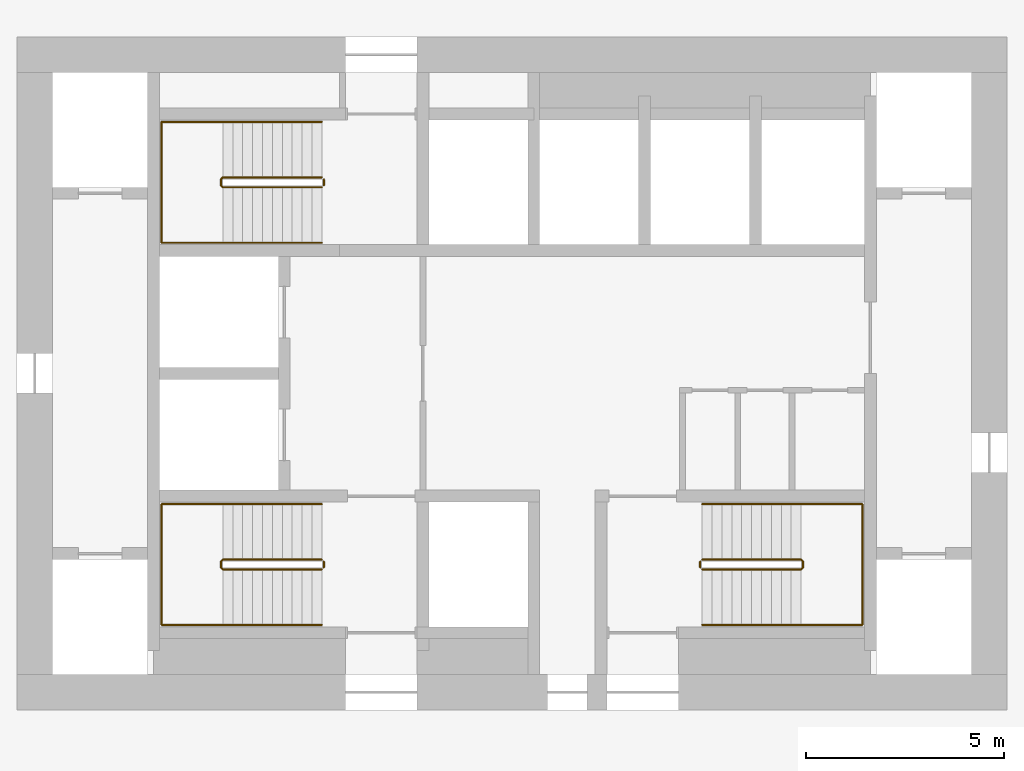
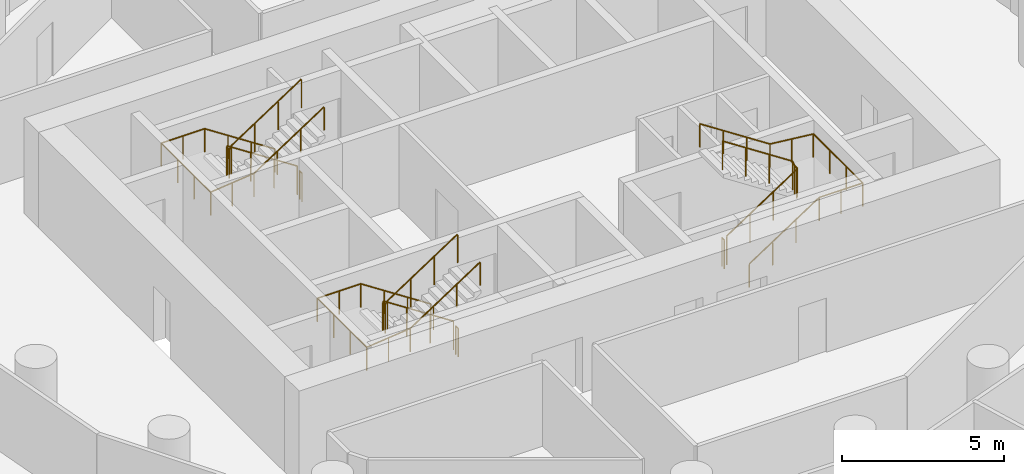
# One storey, part 9 of 9: 9 railings.
"""IFC4 building model written with IfcOpenShell, lengths in metres."""

from ifc_helpers import new_model, si_unit, direction, frame, origin, origin_2d, place, context, subcontext, project, spatial, circle, extrude, material, type_object, element, save


model = new_model("IFC4")

# Units and contexts
model_context = context("Model", 3, precision=1e-05, world=origin(), true_north=direction((0.0, 1.0)))
body_context = subcontext(model_context, "Body", "Model", "MODEL_VIEW")
ifc_project = project(units=[si_unit("LENGTHUNIT", "METRE"), si_unit("AREAUNIT", "SQUARE_METRE"), si_unit("VOLUMEUNIT", "CUBIC_METRE"), si_unit("PLANEANGLEUNIT", "RADIAN"), si_unit("MASSUNIT", "GRAM", prefix="KILO")], contexts=[model_context])

# Site, building, storey
site_placement = place(None, origin())
site = spatial("IfcSite", under=ifc_project, at=site_placement, CompositionType="ELEMENT")
building_placement = place(site_placement, origin())
building = spatial("IfcBuilding", under=site, at=building_placement, Name="Tracery Tower", CompositionType="ELEMENT")
storey_placement = place(building_placement, frame((0.0, 0.0, 216.0)))
storey = spatial("IfcBuildingStorey", under=building, at=storey_placement, Name="L56", CompositionType="ELEMENT", Elevation=216.0)

# Railings
ifc_material_1 = material(Name="Stainless steel and laminated glass", Category="steel")
railing_type_1 = type_object("IfcRailingType", Name="Stair guard 1100", PredefinedType="GUARDRAIL", material=ifc_material_1)
railing_1_placement = place(storey_placement, frame((-4.800048828125, -4.699951171875, 0.16357421875)))
element("IfcRailing", 1, at=railing_1_placement, inside=storey, type_object=railing_type_1, Name="L56 stair ST1 guard 1", PredefinedType="GUARDRAIL", context=body_context, shape_type="SweptSolid", body=[
    extrude(circle(Radius=0.02392578125, at=origin_2d()), frame((0.0, 0.0, 1.076171875), z_axis=(-0.83668449804, 0.0, 0.54768517484), x_axis=(0.0, -1.0, 0.0)), (0.0, 0.0, 1.0), 2.988037109375),
    extrude(circle(Radius=0.02392578125, at=origin_2d()), frame((-2.5, 0.0, 2.71240234375), z_axis=(-0.707106781187, -0.707106781187, 0.0), x_axis=(0.707106781187, -0.707106781187, 0.0)), (0.0, 0.0, 1.0), 0.07080078125),
    extrude(circle(Radius=0.02392578125, at=origin_2d()), frame((-2.550048828125, -0.050048828125, 2.71240234375), z_axis=(0.0, -1.0, 0.0), x_axis=(1.0, 0.0, 0.0)), (0.0, 0.0, 1.0), 0.14990234375),
    extrude(circle(Radius=0.02392578125, at=origin_2d()), frame((-2.550048828125, -0.199951171875, 2.71240234375), z_axis=(0.280808744504, -0.280808744504, 0.917765164963), x_axis=(0.707106781187, 0.707106781187, 0.0)), (0.0, 0.0, 1.0), 0.17822265625),
    extrude(circle(Radius=0.02392578125, at=origin_2d()), frame((-2.5, -0.25, 2.8759765625), z_axis=(0.83668449804, 0.0, 0.54768517484), x_axis=(0.0, 1.0, 0.0)), (0.0, 0.0, 1.0), 2.988037109375),
    extrude(circle(Radius=0.02099609375, at=origin_2d()), origin(), (0.0, 0.0, 1.0), 1.052001953125),
    extrude(circle(Radius=0.02099609375, at=origin_2d()), frame((-0.833251953125, 0.0, 0.54541015625)), (0.0, 0.0, 1.0), 1.052001953125),
    extrude(circle(Radius=0.02099609375, at=origin_2d()), frame((-1.666748046875, 0.0, 1.091064453125)), (0.0, 0.0, 1.0), 1.052001953125),
    extrude(circle(Radius=0.02099609375, at=origin_2d()), frame((-2.5, 0.0, 1.636474609375)), (0.0, 0.0, 1.0), 1.052001953125),
    extrude(circle(Radius=0.02099609375, at=origin_2d()), frame((-2.550048828125, -0.050048828125, 1.636474609375)), (0.0, 0.0, 1.0), 1.052001953125),
    extrude(circle(Radius=0.02099609375, at=origin_2d()), frame((-2.550048828125, -0.199951171875, 1.636474609375)), (0.0, 0.0, 1.0), 1.052001953125),
    extrude(circle(Radius=0.02099609375, at=origin_2d()), frame((-2.5, -0.25, 1.800048828125)), (0.0, 0.0, 1.0), 1.052001953125),
    extrude(circle(Radius=0.02099609375, at=origin_2d()), frame((-1.666748046875, -0.25, 2.345458984375)), (0.0, 0.0, 1.0), 1.052001953125),
    extrude(circle(Radius=0.02099609375, at=origin_2d()), frame((-0.833251953125, -0.25, 2.89111328125)), (0.0, 0.0, 1.0), 1.052001953125),
    extrude(circle(Radius=0.02099609375, at=origin_2d()), frame((0.0, -0.25, 3.4365234375)), (0.0, 0.0, 1.0), 1.052001953125),
])
railing_2_placement = place(storey_placement, frame((-4.75, -4.75, 0.0)))
element("IfcRailing", 2, at=railing_2_placement, inside=storey, type_object=railing_type_1, Name="L56 stair ST1 guard 2", PredefinedType="GUARDRAIL", context=body_context, shape_type="SweptSolid", body=[
    extrude(circle(Radius=0.02392578125, at=origin_2d()), frame((0.0, 0.0, 1.076171875), z_axis=(0.0, -1.0, 0.0), x_axis=(1.0, 0.0, 0.0)), (0.0, 0.0, 1.0), 0.14990234375),
    extrude(circle(Radius=0.02099609375, at=origin_2d()), origin(), (0.0, 0.0, 1.0), 1.052001953125),
    extrude(circle(Radius=0.02099609375, at=origin_2d()), frame((0.0, -0.14990234375, 0.0)), (0.0, 0.0, 1.0), 1.052001953125),
])
railing_3_placement = place(storey_placement, frame((-4.800048828125, 4.949951171875, 0.16357421875)))
element("IfcRailing", 3, at=railing_3_placement, inside=storey, type_object=railing_type_1, Name="L56 stair ST3 guard 1", PredefinedType="GUARDRAIL", context=body_context, shape_type="SweptSolid", body=[
    extrude(circle(Radius=0.02392578125, at=origin_2d()), frame((0.0, 0.0, 1.076171875), z_axis=(-0.83668449804, 0.0, 0.54768517484), x_axis=(0.0, -1.0, 0.0)), (0.0, 0.0, 1.0), 2.988037109375),
    extrude(circle(Radius=0.02392578125, at=origin_2d()), frame((-2.5, 0.0, 2.71240234375), z_axis=(-0.707106781187, -0.707106781187, 0.0), x_axis=(0.707106781187, -0.707106781187, 0.0)), (0.0, 0.0, 1.0), 0.07080078125),
    extrude(circle(Radius=0.02392578125, at=origin_2d()), frame((-2.550048828125, -0.050048828125, 2.71240234375), z_axis=(0.0, -1.0, 0.0), x_axis=(1.0, 0.0, 0.0)), (0.0, 0.0, 1.0), 0.14990234375),
    extrude(circle(Radius=0.02392578125, at=origin_2d()), frame((-2.550048828125, -0.199951171875, 2.71240234375), z_axis=(0.280808744504, -0.280808744504, 0.917765164963), x_axis=(0.707106781187, 0.707106781187, 0.0)), (0.0, 0.0, 1.0), 0.17822265625),
    extrude(circle(Radius=0.02392578125, at=origin_2d()), frame((-2.5, -0.25, 2.8759765625), z_axis=(0.83668449804, 0.0, 0.54768517484), x_axis=(0.0, 1.0, 0.0)), (0.0, 0.0, 1.0), 2.988037109375),
    extrude(circle(Radius=0.02099609375, at=origin_2d()), origin(), (0.0, 0.0, 1.0), 1.052001953125),
    extrude(circle(Radius=0.02099609375, at=origin_2d()), frame((-0.833251953125, 0.0, 0.54541015625)), (0.0, 0.0, 1.0), 1.052001953125),
    extrude(circle(Radius=0.02099609375, at=origin_2d()), frame((-1.666748046875, 0.0, 1.091064453125)), (0.0, 0.0, 1.0), 1.052001953125),
    extrude(circle(Radius=0.02099609375, at=origin_2d()), frame((-2.5, 0.0, 1.636474609375)), (0.0, 0.0, 1.0), 1.052001953125),
    extrude(circle(Radius=0.02099609375, at=origin_2d()), frame((-2.550048828125, -0.050048828125, 1.636474609375)), (0.0, 0.0, 1.0), 1.052001953125),
    extrude(circle(Radius=0.02099609375, at=origin_2d()), frame((-2.550048828125, -0.199951171875, 1.636474609375)), (0.0, 0.0, 1.0), 1.052001953125),
    extrude(circle(Radius=0.02099609375, at=origin_2d()), frame((-2.5, -0.25, 1.800048828125)), (0.0, 0.0, 1.0), 1.052001953125),
    extrude(circle(Radius=0.02099609375, at=origin_2d()), frame((-1.666748046875, -0.25, 2.345458984375)), (0.0, 0.0, 1.0), 1.052001953125),
    extrude(circle(Radius=0.02099609375, at=origin_2d()), frame((-0.833251953125, -0.25, 2.89111328125)), (0.0, 0.0, 1.0), 1.052001953125),
    extrude(circle(Radius=0.02099609375, at=origin_2d()), frame((0.0, -0.25, 3.4365234375)), (0.0, 0.0, 1.0), 1.052001953125),
])
railing_4_placement = place(storey_placement, frame((-4.75, 4.89990234375, 0.0)))
element("IfcRailing", 4, at=railing_4_placement, inside=storey, type_object=railing_type_1, Name="L56 stair ST3 guard 2", PredefinedType="GUARDRAIL", context=body_context, shape_type="SweptSolid", body=[
    extrude(circle(Radius=0.02392578125, at=origin_2d()), frame((0.0, 0.0, 1.076171875), z_axis=(0.0, -1.0, 0.0), x_axis=(1.0, 0.0, 0.0)), (0.0, 0.0, 1.0), 0.14990234375),
    extrude(circle(Radius=0.02099609375, at=origin_2d()), origin(), (0.0, 0.0, 1.0), 1.052001953125),
    extrude(circle(Radius=0.02099609375, at=origin_2d()), frame((0.0, -0.14990234375, 0.0)), (0.0, 0.0, 1.0), 1.052001953125),
])
railing_5_placement = place(storey_placement, frame((4.800048828125, -4.949951171875, 0.16357421875)))
element("IfcRailing", 5, at=railing_5_placement, inside=storey, type_object=railing_type_1, Name="L56 stair ST2 guard 1", PredefinedType="GUARDRAIL", context=body_context, shape_type="SweptSolid", body=[
    extrude(circle(Radius=0.02392578125, at=origin_2d()), frame((0.0, 0.0, 1.076171875), z_axis=(0.83668449804, 0.0, 0.54768517484), x_axis=(0.0, 1.0, 0.0)), (0.0, 0.0, 1.0), 2.988037109375),
    extrude(circle(Radius=0.02392578125, at=origin_2d()), frame((2.5, 0.0, 2.71240234375), z_axis=(0.707106781187, 0.707106781187, 0.0), x_axis=(-0.707106781187, 0.707106781187, 0.0)), (0.0, 0.0, 1.0), 0.07080078125),
    extrude(circle(Radius=0.02392578125, at=origin_2d()), frame((2.550048828125, 0.050048828125, 2.71240234375), z_axis=(0.0, 1.0, 0.0), x_axis=(-1.0, 0.0, 0.0)), (0.0, 0.0, 1.0), 0.14990234375),
    extrude(circle(Radius=0.02392578125, at=origin_2d()), frame((2.550048828125, 0.199951171875, 2.71240234375), z_axis=(-0.280808744504, 0.280808744504, 0.917765164963), x_axis=(-0.707106781187, -0.707106781187, 0.0)), (0.0, 0.0, 1.0), 0.17822265625),
    extrude(circle(Radius=0.02392578125, at=origin_2d()), frame((2.5, 0.25, 2.8759765625), z_axis=(-0.83668449804, 0.0, 0.54768517484), x_axis=(0.0, -1.0, 0.0)), (0.0, 0.0, 1.0), 2.988037109375),
    extrude(circle(Radius=0.02099609375, at=origin_2d()), origin(), (0.0, 0.0, 1.0), 1.052001953125),
    extrude(circle(Radius=0.02099609375, at=origin_2d()), frame((0.833251953125, 0.0, 0.54541015625)), (0.0, 0.0, 1.0), 1.052001953125),
    extrude(circle(Radius=0.02099609375, at=origin_2d()), frame((1.666748046875, 0.0, 1.091064453125)), (0.0, 0.0, 1.0), 1.052001953125),
    extrude(circle(Radius=0.02099609375, at=origin_2d()), frame((2.5, 0.0, 1.636474609375)), (0.0, 0.0, 1.0), 1.052001953125),
    extrude(circle(Radius=0.02099609375, at=origin_2d()), frame((2.550048828125, 0.050048828125, 1.636474609375)), (0.0, 0.0, 1.0), 1.052001953125),
    extrude(circle(Radius=0.02099609375, at=origin_2d()), frame((2.550048828125, 0.199951171875, 1.636474609375)), (0.0, 0.0, 1.0), 1.052001953125),
    extrude(circle(Radius=0.02099609375, at=origin_2d()), frame((2.5, 0.25, 1.800048828125)), (0.0, 0.0, 1.0), 1.052001953125),
    extrude(circle(Radius=0.02099609375, at=origin_2d()), frame((1.666748046875, 0.25, 2.345458984375)), (0.0, 0.0, 1.0), 1.052001953125),
    extrude(circle(Radius=0.02099609375, at=origin_2d()), frame((0.833251953125, 0.25, 2.89111328125)), (0.0, 0.0, 1.0), 1.052001953125),
    extrude(circle(Radius=0.02099609375, at=origin_2d()), frame((0.0, 0.25, 3.4365234375)), (0.0, 0.0, 1.0), 1.052001953125),
])
railing_6_placement = place(storey_placement, frame((4.75, -4.89990234375, 0.0)))
element("IfcRailing", 6, at=railing_6_placement, inside=storey, type_object=railing_type_1, Name="L56 stair ST2 guard 2", PredefinedType="GUARDRAIL", context=body_context, shape_type="SweptSolid", body=[
    extrude(circle(Radius=0.02392578125, at=origin_2d()), frame((0.0, 0.0, 1.076171875), z_axis=(0.0, 1.0, 0.0), x_axis=(-1.0, 0.0, 0.0)), (0.0, 0.0, 1.0), 0.14990234375),
    extrude(circle(Radius=0.02099609375, at=origin_2d()), origin(), (0.0, 0.0, 1.0), 1.052001953125),
    extrude(circle(Radius=0.02099609375, at=origin_2d()), frame((0.0, 0.14990234375, 0.0)), (0.0, 0.0, 1.0), 1.052001953125),
])
ifc_material_2 = material(Name="Stainless steel and laminated glass", Category="steel")
railing_type_2 = type_object("IfcRailingType", Name="Stair handrail 900", PredefinedType="HANDRAIL", material=ifc_material_2)
railing_7_placement = place(storey_placement, frame((-4.800048828125, -3.300048828125, 0.16357421875)))
element("IfcRailing", 7, at=railing_7_placement, inside=storey, type_object=railing_type_2, Name="L56 stair ST1 handrail 1", PredefinedType="HANDRAIL", context=body_context, shape_type="SweptSolid", body=[
    extrude(circle(Radius=0.02392578125, at=origin_2d()), frame((0.0, 0.0, 0.8759765625), z_axis=(-0.83668449804, 0.0, 0.54768517484), x_axis=(0.0, -1.0, 0.0)), (0.0, 0.0, 1.0), 2.988037109375),
    extrude(circle(Radius=0.02392578125, at=origin_2d()), frame((-2.5, 0.0, 2.51220703125), z_axis=(-1.0, 0.0, 0.0), x_axis=(0.0, -1.0, 0.0)), (0.0, 0.0, 1.0), 1.550048828125),
    extrude(circle(Radius=0.02392578125, at=origin_2d()), frame((-4.050048828125, 0.0, 2.51220703125), z_axis=(0.0, -1.0, 0.0), x_axis=(1.0, 0.0, 0.0)), (0.0, 0.0, 1.0), 3.050048828125),
    extrude(circle(Radius=0.02392578125, at=origin_2d()), frame((-4.050048828125, -3.050048828125, 2.51220703125), z_axis=(0.994477953863, 0.0, 0.104945696817), x_axis=(0.0, 1.0, 0.0)), (0.0, 0.0, 1.0), 1.55859375),
    extrude(circle(Radius=0.02392578125, at=origin_2d()), frame((-2.5, -3.050048828125, 2.67578125), z_axis=(0.83668449804, 0.0, 0.54768517484), x_axis=(0.0, 1.0, 0.0)), (0.0, 0.0, 1.0), 2.988037109375),
    extrude(circle(Radius=0.02099609375, at=origin_2d()), origin(), (0.0, 0.0, 1.0), 0.851806640625),
    extrude(circle(Radius=0.02099609375, at=origin_2d()), frame((-0.833251953125, 0.0, 0.54541015625)), (0.0, 0.0, 1.0), 0.851806640625),
    extrude(circle(Radius=0.02099609375, at=origin_2d()), frame((-1.666748046875, 0.0, 1.091064453125)), (0.0, 0.0, 1.0), 0.851806640625),
    extrude(circle(Radius=0.02099609375, at=origin_2d()), frame((-2.5, 0.0, 1.636474609375)), (0.0, 0.0, 1.0), 0.851806640625),
    extrude(circle(Radius=0.02099609375, at=origin_2d()), frame((-3.27490234375, 0.0, 1.636474609375)), (0.0, 0.0, 1.0), 0.851806640625),
    extrude(circle(Radius=0.02099609375, at=origin_2d()), frame((-4.050048828125, 0.0, 1.636474609375)), (0.0, 0.0, 1.0), 0.851806640625),
    extrude(circle(Radius=0.02099609375, at=origin_2d()), frame((-4.050048828125, -1.0166015625, 1.636474609375)), (0.0, 0.0, 1.0), 0.851806640625),
    extrude(circle(Radius=0.02099609375, at=origin_2d()), frame((-4.050048828125, -2.033447265625, 1.636474609375)), (0.0, 0.0, 1.0), 0.851806640625),
    extrude(circle(Radius=0.02099609375, at=origin_2d()), frame((-4.050048828125, -3.050048828125, 1.636474609375)), (0.0, 0.0, 1.0), 0.851806640625),
    extrude(circle(Radius=0.02099609375, at=origin_2d()), frame((-3.27490234375, -3.050048828125, 1.71826171875)), (0.0, 0.0, 1.0), 0.851806640625),
    extrude(circle(Radius=0.02099609375, at=origin_2d()), frame((-2.5, -3.050048828125, 1.800048828125)), (0.0, 0.0, 1.0), 0.851806640625),
    extrude(circle(Radius=0.02099609375, at=origin_2d()), frame((-1.666748046875, -3.050048828125, 2.345458984375)), (0.0, 0.0, 1.0), 0.851806640625),
    extrude(circle(Radius=0.02099609375, at=origin_2d()), frame((-0.833251953125, -3.050048828125, 2.89111328125)), (0.0, 0.0, 1.0), 0.851806640625),
    extrude(circle(Radius=0.02099609375, at=origin_2d()), frame((0.0, -3.050048828125, 3.4365234375)), (0.0, 0.0, 1.0), 0.851806640625),
])
railing_8_placement = place(storey_placement, frame((-4.800048828125, 6.35009765625, 0.16357421875)))
element("IfcRailing", 8, at=railing_8_placement, inside=storey, type_object=railing_type_2, Name="L56 stair ST3 handrail 1", PredefinedType="HANDRAIL", context=body_context, shape_type="SweptSolid", body=[
    extrude(circle(Radius=0.02392578125, at=origin_2d()), frame((0.0, 0.0, 0.8759765625), z_axis=(-0.83668449804, 0.0, 0.54768517484), x_axis=(0.0, -1.0, 0.0)), (0.0, 0.0, 1.0), 2.988037109375),
    extrude(circle(Radius=0.02392578125, at=origin_2d()), frame((-2.5, 0.0, 2.51220703125), z_axis=(-1.0, 0.0, 0.0), x_axis=(0.0, -1.0, 0.0)), (0.0, 0.0, 1.0), 1.550048828125),
    extrude(circle(Radius=0.02392578125, at=origin_2d()), frame((-4.050048828125, 0.0, 2.51220703125), z_axis=(0.0, -1.0, 0.0), x_axis=(1.0, 0.0, 0.0)), (0.0, 0.0, 1.0), 3.050048828125),
    extrude(circle(Radius=0.02392578125, at=origin_2d()), frame((-4.050048828125, -3.050048828125, 2.51220703125), z_axis=(0.994477953863, 0.0, 0.104945696817), x_axis=(0.0, 1.0, 0.0)), (0.0, 0.0, 1.0), 1.55859375),
    extrude(circle(Radius=0.02392578125, at=origin_2d()), frame((-2.5, -3.050048828125, 2.67578125), z_axis=(0.83668449804, 0.0, 0.54768517484), x_axis=(0.0, 1.0, 0.0)), (0.0, 0.0, 1.0), 2.988037109375),
    extrude(circle(Radius=0.02099609375, at=origin_2d()), origin(), (0.0, 0.0, 1.0), 0.851806640625),
    extrude(circle(Radius=0.02099609375, at=origin_2d()), frame((-0.833251953125, 0.0, 0.54541015625)), (0.0, 0.0, 1.0), 0.851806640625),
    extrude(circle(Radius=0.02099609375, at=origin_2d()), frame((-1.666748046875, 0.0, 1.091064453125)), (0.0, 0.0, 1.0), 0.851806640625),
    extrude(circle(Radius=0.02099609375, at=origin_2d()), frame((-2.5, 0.0, 1.636474609375)), (0.0, 0.0, 1.0), 0.851806640625),
    extrude(circle(Radius=0.02099609375, at=origin_2d()), frame((-3.27490234375, 0.0, 1.636474609375)), (0.0, 0.0, 1.0), 0.851806640625),
    extrude(circle(Radius=0.02099609375, at=origin_2d()), frame((-4.050048828125, 0.0, 1.636474609375)), (0.0, 0.0, 1.0), 0.851806640625),
    extrude(circle(Radius=0.02099609375, at=origin_2d()), frame((-4.050048828125, -1.0166015625, 1.636474609375)), (0.0, 0.0, 1.0), 0.851806640625),
    extrude(circle(Radius=0.02099609375, at=origin_2d()), frame((-4.050048828125, -2.033447265625, 1.636474609375)), (0.0, 0.0, 1.0), 0.851806640625),
    extrude(circle(Radius=0.02099609375, at=origin_2d()), frame((-4.050048828125, -3.050048828125, 1.636474609375)), (0.0, 0.0, 1.0), 0.851806640625),
    extrude(circle(Radius=0.02099609375, at=origin_2d()), frame((-3.27490234375, -3.050048828125, 1.71826171875)), (0.0, 0.0, 1.0), 0.851806640625),
    extrude(circle(Radius=0.02099609375, at=origin_2d()), frame((-2.5, -3.050048828125, 1.800048828125)), (0.0, 0.0, 1.0), 0.851806640625),
    extrude(circle(Radius=0.02099609375, at=origin_2d()), frame((-1.666748046875, -3.050048828125, 2.345458984375)), (0.0, 0.0, 1.0), 0.851806640625),
    extrude(circle(Radius=0.02099609375, at=origin_2d()), frame((-0.833251953125, -3.050048828125, 2.89111328125)), (0.0, 0.0, 1.0), 0.851806640625),
    extrude(circle(Radius=0.02099609375, at=origin_2d()), frame((0.0, -3.050048828125, 3.4365234375)), (0.0, 0.0, 1.0), 0.851806640625),
])
railing_9_placement = place(storey_placement, frame((4.800048828125, -6.35009765625, 0.16357421875)))
element("IfcRailing", 9, at=railing_9_placement, inside=storey, type_object=railing_type_2, Name="L56 stair ST2 handrail 1", PredefinedType="HANDRAIL", context=body_context, shape_type="SweptSolid", body=[
    extrude(circle(Radius=0.02392578125, at=origin_2d()), frame((0.0, 0.0, 0.8759765625), z_axis=(0.83668449804, 0.0, 0.54768517484), x_axis=(0.0, 1.0, 0.0)), (0.0, 0.0, 1.0), 2.988037109375),
    extrude(circle(Radius=0.02392578125, at=origin_2d()), frame((2.5, 0.0, 2.51220703125), z_axis=(1.0, 0.0, 0.0), x_axis=(0.0, 1.0, 0.0)), (0.0, 0.0, 1.0), 1.550048828125),
    extrude(circle(Radius=0.02392578125, at=origin_2d()), frame((4.050048828125, 0.0, 2.51220703125), z_axis=(0.0, 1.0, 0.0), x_axis=(-1.0, 0.0, 0.0)), (0.0, 0.0, 1.0), 3.050048828125),
    extrude(circle(Radius=0.02392578125, at=origin_2d()), frame((4.050048828125, 3.050048828125, 2.51220703125), z_axis=(-0.994477953863, 0.0, 0.104945696817), x_axis=(0.0, -1.0, 0.0)), (0.0, 0.0, 1.0), 1.55859375),
    extrude(circle(Radius=0.02392578125, at=origin_2d()), frame((2.5, 3.050048828125, 2.67578125), z_axis=(-0.83668449804, 0.0, 0.54768517484), x_axis=(0.0, -1.0, 0.0)), (0.0, 0.0, 1.0), 2.988037109375),
    extrude(circle(Radius=0.02099609375, at=origin_2d()), origin(), (0.0, 0.0, 1.0), 0.851806640625),
    extrude(circle(Radius=0.02099609375, at=origin_2d()), frame((0.833251953125, 0.0, 0.54541015625)), (0.0, 0.0, 1.0), 0.851806640625),
    extrude(circle(Radius=0.02099609375, at=origin_2d()), frame((1.666748046875, 0.0, 1.091064453125)), (0.0, 0.0, 1.0), 0.851806640625),
    extrude(circle(Radius=0.02099609375, at=origin_2d()), frame((2.5, 0.0, 1.636474609375)), (0.0, 0.0, 1.0), 0.851806640625),
    extrude(circle(Radius=0.02099609375, at=origin_2d()), frame((3.27490234375, 0.0, 1.636474609375)), (0.0, 0.0, 1.0), 0.851806640625),
    extrude(circle(Radius=0.02099609375, at=origin_2d()), frame((4.050048828125, 0.0, 1.636474609375)), (0.0, 0.0, 1.0), 0.851806640625),
    extrude(circle(Radius=0.02099609375, at=origin_2d()), frame((4.050048828125, 1.0166015625, 1.636474609375)), (0.0, 0.0, 1.0), 0.851806640625),
    extrude(circle(Radius=0.02099609375, at=origin_2d()), frame((4.050048828125, 2.033447265625, 1.636474609375)), (0.0, 0.0, 1.0), 0.851806640625),
    extrude(circle(Radius=0.02099609375, at=origin_2d()), frame((4.050048828125, 3.050048828125, 1.636474609375)), (0.0, 0.0, 1.0), 0.851806640625),
    extrude(circle(Radius=0.02099609375, at=origin_2d()), frame((3.27490234375, 3.050048828125, 1.71826171875)), (0.0, 0.0, 1.0), 0.851806640625),
    extrude(circle(Radius=0.02099609375, at=origin_2d()), frame((2.5, 3.050048828125, 1.800048828125)), (0.0, 0.0, 1.0), 0.851806640625),
    extrude(circle(Radius=0.02099609375, at=origin_2d()), frame((1.666748046875, 3.050048828125, 2.345458984375)), (0.0, 0.0, 1.0), 0.851806640625),
    extrude(circle(Radius=0.02099609375, at=origin_2d()), frame((0.833251953125, 3.050048828125, 2.89111328125)), (0.0, 0.0, 1.0), 0.851806640625),
    extrude(circle(Radius=0.02099609375, at=origin_2d()), frame((0.0, 3.050048828125, 3.4365234375)), (0.0, 0.0, 1.0), 0.851806640625),
])

save(model, "model.ifc")
